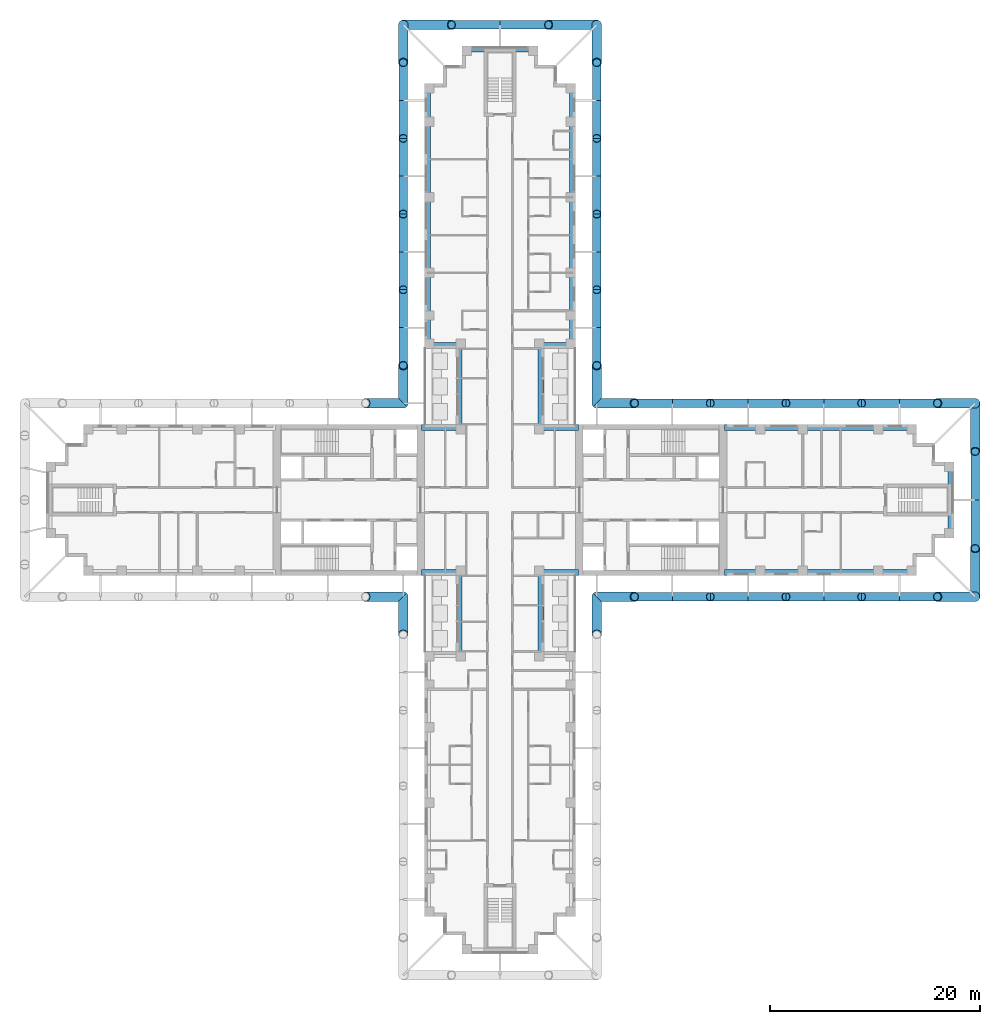
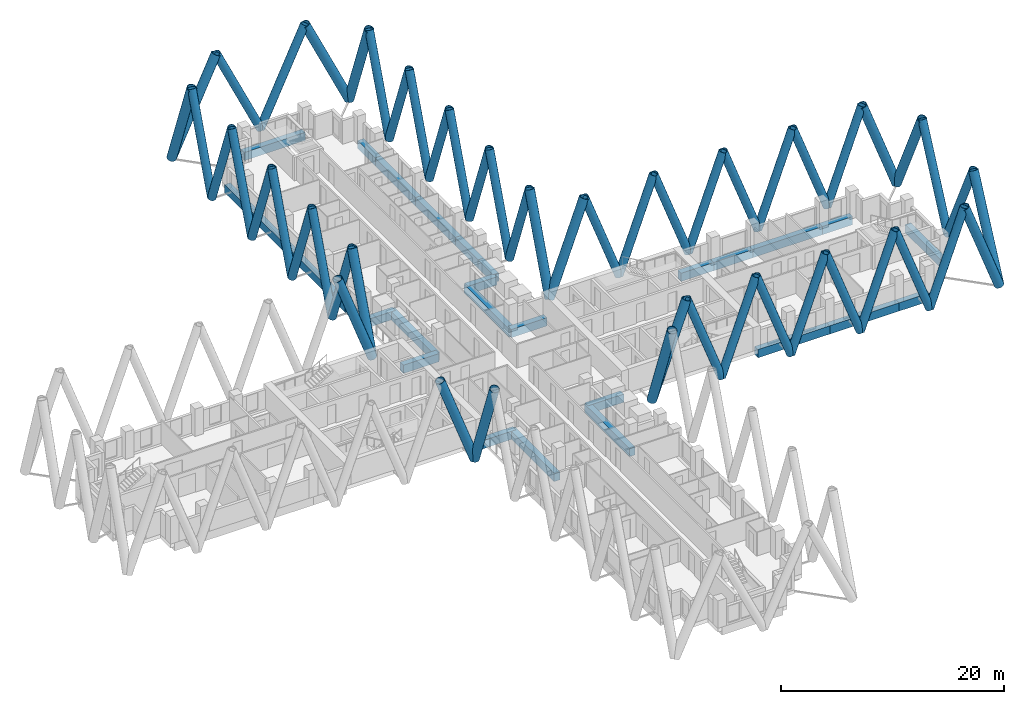
# One storey, part 2 of 17: 52 members, 30 beams.
"""IFC4 building model written with IfcOpenShell, lengths in metres."""

from ifc_helpers import new_model, si_unit, direction, frame, origin, origin_2d, place, context, subcontext, project, spatial, rectangle, hollow_circle, extrude, material, material_profile, profile_set, type_object, element, save


model = new_model("IFC4")

# Units and contexts
model_context = context("Model", 3, precision=1e-05, world=origin(), true_north=direction((0.0, 1.0)))
body_context = subcontext(model_context, "Body", "Model", "MODEL_VIEW")
ifc_project = project(units=[si_unit("LENGTHUNIT", "METRE"), si_unit("AREAUNIT", "SQUARE_METRE"), si_unit("VOLUMEUNIT", "CUBIC_METRE"), si_unit("PLANEANGLEUNIT", "RADIAN"), si_unit("MASSUNIT", "GRAM", prefix="KILO")], contexts=[model_context])

# Site, building, storey
site_placement = place(None, origin())
site = spatial("IfcSite", under=ifc_project, at=site_placement, CompositionType="ELEMENT")
building_placement = place(site_placement, origin())
building = spatial("IfcBuilding", under=site, at=building_placement, Name="Fustian Cross Tower", CompositionType="ELEMENT")
storey_placement = place(building_placement, frame((0.0, 0.0, 56.699951171875)))
storey = spatial("IfcBuildingStorey", under=building, at=storey_placement, Name="L17", CompositionType="ELEMENT", Elevation=56.699951171875)

# Members
ifc_material_1 = material(Name="Steel S355", Category="steel")
ifc_material_profile_1 = material_profile(ifc_material_1, hollow_circle(Radius=0.406494140625, WallThickness=0.0400390625, at=origin_2d()), Name="CHS 813x40")
ifc_profile_set_1 = profile_set([ifc_material_profile_1], Name="Steel S355")
member_type_1 = type_object("IfcMemberType", Name="DIAGRID DIAGONAL CHS 813x40", PredefinedType="BRACE", material=ifc_profile_set_1)
member_1_placement = place(storey_placement, frame((16.39990234375, -9.199951171875, 0.0), z_axis=(-0.344803586443, 0.0, 0.938674856793), x_axis=(0.0, -1.0, 0.0)))
element("IfcMember", 1, at=member_1_placement, inside=storey, type_object=member_type_1, Name="Diagrid diagonal E-S 02", PredefinedType="BRACE", context=body_context, shape_type="SweptSolid", body=[
    extrude(hollow_circle(Radius=0.406494140625, WallThickness=0.0400390625, at=origin_2d()), origin(), (0.0, 0.0, 1.0), 10.440185546875),
])
for number, where, z_axis, x_axis, name in (
    (2, (16.39990234375, -9.199951171875, 0.0), (0.34482419047, 0.0, 0.938667288056), (0.0, 1.0, 0.0), "Diagrid diagonal E-S 03"),
    (3, (23.60009765625, -9.199951171875, 0.0), (-0.34482419047, 0.0, 0.938667288056), (0.0, -1.0, 0.0), "Diagrid diagonal E-S 04"),
):
    element("IfcMember", number, at=place(storey_placement, frame(where, z_axis=z_axis, x_axis=x_axis)), inside=storey, type_object=member_type_1, Name=name, PredefinedType="BRACE", context=body_context, shape_type="SweptSolid", body=[
        extrude(hollow_circle(Radius=0.406494140625, WallThickness=0.0400390625, at=origin_2d()), origin(), (0.0, 0.0, 1.0), 10.4404296875),
    ])
member_2_placement = place(storey_placement, frame((23.60009765625, -9.199951171875, 0.0), z_axis=(0.344803586443, 0.0, 0.938674856793), x_axis=(0.0, 1.0, 0.0)))
element("IfcMember", 4, at=member_2_placement, inside=storey, type_object=member_type_1, Name="Diagrid diagonal E-S 05", PredefinedType="BRACE", context=body_context, shape_type="SweptSolid", body=[
    extrude(hollow_circle(Radius=0.406494140625, WallThickness=0.0400390625, at=origin_2d()), origin(), (0.0, 0.0, 1.0), 10.440185546875),
])
member_3_placement = place(storey_placement, frame((30.800048828125, -9.199951171875, 0.0), z_axis=(-0.34482419047, 0.0, 0.938667288056), x_axis=(0.0, -1.0, 0.0)))
element("IfcMember", 5, at=member_3_placement, inside=storey, type_object=member_type_1, Name="Diagrid diagonal E-S 06", PredefinedType="BRACE", context=body_context, shape_type="SweptSolid", body=[
    extrude(hollow_circle(Radius=0.406494140625, WallThickness=0.0400390625, at=origin_2d()), origin(), (0.0, 0.0, 1.0), 10.4404296875),
])
member_4_placement = place(storey_placement, frame((30.800048828125, -9.199951171875, 0.0), z_axis=(0.344803586443, 0.0, 0.938674856793), x_axis=(0.0, 1.0, 0.0)))
element("IfcMember", 6, at=member_4_placement, inside=storey, type_object=member_type_1, Name="Diagrid diagonal E-S 07", PredefinedType="BRACE", context=body_context, shape_type="SweptSolid", body=[
    extrude(hollow_circle(Radius=0.406494140625, WallThickness=0.0400390625, at=origin_2d()), origin(), (0.0, 0.0, 1.0), 10.440185546875),
])
for number, where, z_axis, x_axis, name in (
    (7, (38.0, -9.199951171875, 0.0), (-0.34482419047, 0.0, 0.938667288056), (0.0, -1.0, 0.0), "Diagrid diagonal E-S 08"),
    (8, (38.0, -9.199951171875, 0.0), (0.34482419047, 0.0, 0.938667288056), (0.0, 1.0, 0.0), "Diagrid diagonal E-S 09"),
):
    element("IfcMember", number, at=place(storey_placement, frame(where, z_axis=z_axis, x_axis=x_axis)), inside=storey, type_object=member_type_1, Name=name, PredefinedType="BRACE", context=body_context, shape_type="SweptSolid", body=[
        extrude(hollow_circle(Radius=0.406494140625, WallThickness=0.0400390625, at=origin_2d()), origin(), (0.0, 0.0, 1.0), 10.4404296875),
    ])
for number, where, z_axis, x_axis, name in (
    (9, (45.199951171875, 0.0, 0.0), (0.0, -0.424912794088, 0.90523428869), (1.0, 0.0, 0.0), "Diagrid diagonal E-end 02"),
    (10, (45.199951171875, 0.0, 0.0), (0.0, 0.424912794088, 0.90523428869), (-1.0, 0.0, 0.0), "Diagrid diagonal E-end 03"),
):
    element("IfcMember", number, at=place(storey_placement, frame(where, z_axis=z_axis, x_axis=x_axis)), inside=storey, type_object=member_type_1, Name=name, PredefinedType="BRACE", context=body_context, shape_type="SweptSolid", body=[
        extrude(hollow_circle(Radius=0.406494140625, WallThickness=0.0400390625, at=origin_2d()), origin(), (0.0, 0.0, 1.0), 10.825927734375),
    ])
for number, where, z_axis, x_axis, name in (
    (11, (38.0, 9.199951171875, 0.0), (0.34482419047, 0.0, 0.938667288056), (0.0, 1.0, 0.0), "Diagrid diagonal E-N 02"),
    (12, (38.0, 9.199951171875, 0.0), (-0.34482419047, 0.0, 0.938667288056), (0.0, -1.0, 0.0), "Diagrid diagonal E-N 03"),
):
    element("IfcMember", number, at=place(storey_placement, frame(where, z_axis=z_axis, x_axis=x_axis)), inside=storey, type_object=member_type_1, Name=name, PredefinedType="BRACE", context=body_context, shape_type="SweptSolid", body=[
        extrude(hollow_circle(Radius=0.406494140625, WallThickness=0.0400390625, at=origin_2d()), origin(), (0.0, 0.0, 1.0), 10.4404296875),
    ])
member_5_placement = place(storey_placement, frame((30.800048828125, 9.199951171875, 0.0), z_axis=(0.344803586443, 0.0, 0.938674856793), x_axis=(0.0, 1.0, 0.0)))
element("IfcMember", 13, at=member_5_placement, inside=storey, type_object=member_type_1, Name="Diagrid diagonal E-N 04", PredefinedType="BRACE", context=body_context, shape_type="SweptSolid", body=[
    extrude(hollow_circle(Radius=0.406494140625, WallThickness=0.0400390625, at=origin_2d()), origin(), (0.0, 0.0, 1.0), 10.440185546875),
])
member_6_placement = place(storey_placement, frame((30.800048828125, 9.199951171875, 0.0), z_axis=(-0.34482419047, 0.0, 0.938667288056), x_axis=(0.0, -1.0, 0.0)))
element("IfcMember", 14, at=member_6_placement, inside=storey, type_object=member_type_1, Name="Diagrid diagonal E-N 05", PredefinedType="BRACE", context=body_context, shape_type="SweptSolid", body=[
    extrude(hollow_circle(Radius=0.406494140625, WallThickness=0.0400390625, at=origin_2d()), origin(), (0.0, 0.0, 1.0), 10.4404296875),
])
member_7_placement = place(storey_placement, frame((23.60009765625, 9.199951171875, 0.0), z_axis=(0.344803586443, 0.0, 0.938674856793), x_axis=(0.0, 1.0, 0.0)))
element("IfcMember", 15, at=member_7_placement, inside=storey, type_object=member_type_1, Name="Diagrid diagonal E-N 06", PredefinedType="BRACE", context=body_context, shape_type="SweptSolid", body=[
    extrude(hollow_circle(Radius=0.406494140625, WallThickness=0.0400390625, at=origin_2d()), origin(), (0.0, 0.0, 1.0), 10.440185546875),
])
for number, where, z_axis, x_axis, name in (
    (16, (23.60009765625, 9.199951171875, 0.0), (-0.34482419047, 0.0, 0.938667288056), (0.0, -1.0, 0.0), "Diagrid diagonal E-N 07"),
    (17, (16.39990234375, 9.199951171875, 0.0), (0.34482419047, 0.0, 0.938667288056), (0.0, 1.0, 0.0), "Diagrid diagonal E-N 08"),
):
    element("IfcMember", number, at=place(storey_placement, frame(where, z_axis=z_axis, x_axis=x_axis)), inside=storey, type_object=member_type_1, Name=name, PredefinedType="BRACE", context=body_context, shape_type="SweptSolid", body=[
        extrude(hollow_circle(Radius=0.406494140625, WallThickness=0.0400390625, at=origin_2d()), origin(), (0.0, 0.0, 1.0), 10.4404296875),
    ])
for number, where, z_axis, x_axis, name in (
    (18, (16.39990234375, 9.199951171875, 0.0), (-0.344803586443, 0.0, 0.938674856793), (0.0, -1.0, 0.0), "Diagrid diagonal E-N 09"),
    (19, (9.199951171875, 16.39990234375, 0.0), (0.0, -0.344803586443, 0.938674856793), (1.0, 0.0, 0.0), "Diagrid diagonal N-E 02"),
):
    element("IfcMember", number, at=place(storey_placement, frame(where, z_axis=z_axis, x_axis=x_axis)), inside=storey, type_object=member_type_1, Name=name, PredefinedType="BRACE", context=body_context, shape_type="SweptSolid", body=[
        extrude(hollow_circle(Radius=0.406494140625, WallThickness=0.0400390625, at=origin_2d()), origin(), (0.0, 0.0, 1.0), 10.440185546875),
    ])
for number, where, z_axis, x_axis, name in (
    (20, (9.199951171875, 16.39990234375, 0.0), (0.0, 0.34482419047, 0.938667288056), (-1.0, 0.0, 0.0), "Diagrid diagonal N-E 03"),
    (21, (9.199951171875, 23.60009765625, 0.0), (0.0, -0.34482419047, 0.938667288056), (1.0, 0.0, 0.0), "Diagrid diagonal N-E 04"),
):
    element("IfcMember", number, at=place(storey_placement, frame(where, z_axis=z_axis, x_axis=x_axis)), inside=storey, type_object=member_type_1, Name=name, PredefinedType="BRACE", context=body_context, shape_type="SweptSolid", body=[
        extrude(hollow_circle(Radius=0.406494140625, WallThickness=0.0400390625, at=origin_2d()), origin(), (0.0, 0.0, 1.0), 10.4404296875),
    ])
member_8_placement = place(storey_placement, frame((9.199951171875, 23.60009765625, 0.0), z_axis=(0.0, 0.344803586443, 0.938674856793), x_axis=(-1.0, 0.0, 0.0)))
element("IfcMember", 22, at=member_8_placement, inside=storey, type_object=member_type_1, Name="Diagrid diagonal N-E 05", PredefinedType="BRACE", context=body_context, shape_type="SweptSolid", body=[
    extrude(hollow_circle(Radius=0.406494140625, WallThickness=0.0400390625, at=origin_2d()), origin(), (0.0, 0.0, 1.0), 10.440185546875),
])
member_9_placement = place(storey_placement, frame((9.199951171875, 30.800048828125, 0.0), z_axis=(0.0, -0.34482419047, 0.938667288056), x_axis=(1.0, 0.0, 0.0)))
element("IfcMember", 23, at=member_9_placement, inside=storey, type_object=member_type_1, Name="Diagrid diagonal N-E 06", PredefinedType="BRACE", context=body_context, shape_type="SweptSolid", body=[
    extrude(hollow_circle(Radius=0.406494140625, WallThickness=0.0400390625, at=origin_2d()), origin(), (0.0, 0.0, 1.0), 10.4404296875),
])
member_10_placement = place(storey_placement, frame((9.199951171875, 30.800048828125, 0.0), z_axis=(0.0, 0.344803586443, 0.938674856793), x_axis=(-1.0, 0.0, 0.0)))
element("IfcMember", 24, at=member_10_placement, inside=storey, type_object=member_type_1, Name="Diagrid diagonal N-E 07", PredefinedType="BRACE", context=body_context, shape_type="SweptSolid", body=[
    extrude(hollow_circle(Radius=0.406494140625, WallThickness=0.0400390625, at=origin_2d()), origin(), (0.0, 0.0, 1.0), 10.440185546875),
])
for number, where, z_axis, x_axis, name in (
    (25, (9.199951171875, 38.0, 0.0), (0.0, -0.34482419047, 0.938667288056), (1.0, 0.0, 0.0), "Diagrid diagonal N-E 08"),
    (26, (9.199951171875, 38.0, 0.0), (0.0, 0.34482419047, 0.938667288056), (-1.0, 0.0, 0.0), "Diagrid diagonal N-E 09"),
):
    element("IfcMember", number, at=place(storey_placement, frame(where, z_axis=z_axis, x_axis=x_axis)), inside=storey, type_object=member_type_1, Name=name, PredefinedType="BRACE", context=body_context, shape_type="SweptSolid", body=[
        extrude(hollow_circle(Radius=0.406494140625, WallThickness=0.0400390625, at=origin_2d()), origin(), (0.0, 0.0, 1.0), 10.4404296875),
    ])
for number, where, z_axis, x_axis, name in (
    (27, (0.0, 45.199951171875, 0.0), (0.424912794088, 0.0, 0.90523428869), (0.0, 1.0, 0.0), "Diagrid diagonal N-end 02"),
    (28, (0.0, 45.199951171875, 0.0), (-0.424912794088, 0.0, 0.90523428869), (0.0, -1.0, 0.0), "Diagrid diagonal N-end 03"),
):
    element("IfcMember", number, at=place(storey_placement, frame(where, z_axis=z_axis, x_axis=x_axis)), inside=storey, type_object=member_type_1, Name=name, PredefinedType="BRACE", context=body_context, shape_type="SweptSolid", body=[
        extrude(hollow_circle(Radius=0.406494140625, WallThickness=0.0400390625, at=origin_2d()), origin(), (0.0, 0.0, 1.0), 10.825927734375),
    ])
for number, where, z_axis, x_axis, name in (
    (29, (-9.199951171875, 38.0, 0.0), (0.0, 0.34482419047, 0.938667288056), (-1.0, 0.0, 0.0), "Diagrid diagonal N-W 02"),
    (30, (-9.199951171875, 38.0, 0.0), (0.0, -0.34482419047, 0.938667288056), (1.0, 0.0, 0.0), "Diagrid diagonal N-W 03"),
):
    element("IfcMember", number, at=place(storey_placement, frame(where, z_axis=z_axis, x_axis=x_axis)), inside=storey, type_object=member_type_1, Name=name, PredefinedType="BRACE", context=body_context, shape_type="SweptSolid", body=[
        extrude(hollow_circle(Radius=0.406494140625, WallThickness=0.0400390625, at=origin_2d()), origin(), (0.0, 0.0, 1.0), 10.4404296875),
    ])
member_11_placement = place(storey_placement, frame((-9.199951171875, 30.800048828125, 0.0), z_axis=(0.0, 0.344803586443, 0.938674856793), x_axis=(-1.0, 0.0, 0.0)))
element("IfcMember", 31, at=member_11_placement, inside=storey, type_object=member_type_1, Name="Diagrid diagonal N-W 04", PredefinedType="BRACE", context=body_context, shape_type="SweptSolid", body=[
    extrude(hollow_circle(Radius=0.406494140625, WallThickness=0.0400390625, at=origin_2d()), origin(), (0.0, 0.0, 1.0), 10.440185546875),
])
member_12_placement = place(storey_placement, frame((-9.199951171875, 30.800048828125, 0.0), z_axis=(0.0, -0.34482419047, 0.938667288056), x_axis=(1.0, 0.0, 0.0)))
element("IfcMember", 32, at=member_12_placement, inside=storey, type_object=member_type_1, Name="Diagrid diagonal N-W 05", PredefinedType="BRACE", context=body_context, shape_type="SweptSolid", body=[
    extrude(hollow_circle(Radius=0.406494140625, WallThickness=0.0400390625, at=origin_2d()), origin(), (0.0, 0.0, 1.0), 10.4404296875),
])
member_13_placement = place(storey_placement, frame((-9.199951171875, 23.60009765625, 0.0), z_axis=(0.0, 0.344803586443, 0.938674856793), x_axis=(-1.0, 0.0, 0.0)))
element("IfcMember", 33, at=member_13_placement, inside=storey, type_object=member_type_1, Name="Diagrid diagonal N-W 06", PredefinedType="BRACE", context=body_context, shape_type="SweptSolid", body=[
    extrude(hollow_circle(Radius=0.406494140625, WallThickness=0.0400390625, at=origin_2d()), origin(), (0.0, 0.0, 1.0), 10.440185546875),
])
for number, where, z_axis, x_axis, name in (
    (34, (-9.199951171875, 23.60009765625, 0.0), (0.0, -0.34482419047, 0.938667288056), (1.0, 0.0, 0.0), "Diagrid diagonal N-W 07"),
    (35, (-9.199951171875, 16.39990234375, 0.0), (0.0, 0.34482419047, 0.938667288056), (-1.0, 0.0, 0.0), "Diagrid diagonal N-W 08"),
):
    element("IfcMember", number, at=place(storey_placement, frame(where, z_axis=z_axis, x_axis=x_axis)), inside=storey, type_object=member_type_1, Name=name, PredefinedType="BRACE", context=body_context, shape_type="SweptSolid", body=[
        extrude(hollow_circle(Radius=0.406494140625, WallThickness=0.0400390625, at=origin_2d()), origin(), (0.0, 0.0, 1.0), 10.4404296875),
    ])
member_14_placement = place(storey_placement, frame((-9.199951171875, 16.39990234375, 0.0), z_axis=(0.0, -0.344803586443, 0.938674856793), x_axis=(1.0, 0.0, 0.0)))
element("IfcMember", 36, at=member_14_placement, inside=storey, type_object=member_type_1, Name="Diagrid diagonal N-W 09", PredefinedType="BRACE", context=body_context, shape_type="SweptSolid", body=[
    extrude(hollow_circle(Radius=0.406494140625, WallThickness=0.0400390625, at=origin_2d()), origin(), (0.0, 0.0, 1.0), 10.440185546875),
])
ifc_material_2 = material(Name="Steel S355", Category="steel")
ifc_material_profile_2 = material_profile(ifc_material_2, hollow_circle(Radius=0.457275390625, WallThickness=0.050048828125, at=origin_2d()), Name="CHS 914x50")
ifc_profile_set_2 = profile_set([ifc_material_profile_2], Name="Steel S355")
member_type_2 = type_object("IfcMemberType", Name="DIAGRID DIAGONAL CHS 914x50", PredefinedType="BRACE", material=ifc_profile_set_2)
member_15_placement = place(storey_placement, frame((9.199951171875, -9.199951171875, 0.0), z_axis=(0.34482419047, 0.0, 0.938667288056), x_axis=(0.0, 1.0, 0.0)))
element("IfcMember", 37, at=member_15_placement, inside=storey, type_object=member_type_2, Name="Diagrid diagonal E-S 01", PredefinedType="BRACE", context=body_context, shape_type="SweptSolid", body=[
    extrude(hollow_circle(Radius=0.457275390625, WallThickness=0.050048828125, at=origin_2d()), origin(), (0.0, 0.0, 1.0), 10.4404296875),
])
member_16_placement = place(storey_placement, frame((45.199951171875, -9.199951171875, 0.0), z_axis=(-0.344803586443, 0.0, 0.938674856793), x_axis=(0.0, -1.0, 0.0)))
element("IfcMember", 38, at=member_16_placement, inside=storey, type_object=member_type_2, Name="Diagrid diagonal E-S 10", PredefinedType="BRACE", context=body_context, shape_type="SweptSolid", body=[
    extrude(hollow_circle(Radius=0.457275390625, WallThickness=0.050048828125, at=origin_2d()), origin(), (0.0, 0.0, 1.0), 10.440185546875),
])
for number, where, z_axis, x_axis, name in (
    (39, (45.199951171875, -9.199951171875, 0.0), (0.0, 0.424894314128, 0.905242962868), (-1.0, 0.0, 0.0), "Diagrid diagonal E-end 01"),
    (40, (45.199951171875, 9.199951171875, 0.0), (0.0, -0.424894314128, 0.905242962868), (1.0, 0.0, 0.0), "Diagrid diagonal E-end 04"),
):
    element("IfcMember", number, at=place(storey_placement, frame(where, z_axis=z_axis, x_axis=x_axis)), inside=storey, type_object=member_type_2, Name=name, PredefinedType="BRACE", context=body_context, shape_type="SweptSolid", body=[
        extrude(hollow_circle(Radius=0.457275390625, WallThickness=0.050048828125, at=origin_2d()), origin(), (0.0, 0.0, 1.0), 10.825927734375),
    ])
member_17_placement = place(storey_placement, frame((45.199951171875, 9.199951171875, 0.0), z_axis=(-0.344803586443, 0.0, 0.938674856793), x_axis=(0.0, -1.0, 0.0)))
element("IfcMember", 41, at=member_17_placement, inside=storey, type_object=member_type_2, Name="Diagrid diagonal E-N 01", PredefinedType="BRACE", context=body_context, shape_type="SweptSolid", body=[
    extrude(hollow_circle(Radius=0.457275390625, WallThickness=0.050048828125, at=origin_2d()), origin(), (0.0, 0.0, 1.0), 10.440185546875),
])
for number, where, z_axis, x_axis, name in (
    (42, (9.199951171875, 9.199951171875, 0.0), (0.34482419047, 0.0, 0.938667288056), (0.0, 1.0, 0.0), "Diagrid diagonal E-N 10"),
    (43, (9.199951171875, 9.199951171875, 0.0), (0.0, 0.34482419047, 0.938667288056), (-1.0, 0.0, 0.0), "Diagrid diagonal N-E 01"),
):
    element("IfcMember", number, at=place(storey_placement, frame(where, z_axis=z_axis, x_axis=x_axis)), inside=storey, type_object=member_type_2, Name=name, PredefinedType="BRACE", context=body_context, shape_type="SweptSolid", body=[
        extrude(hollow_circle(Radius=0.457275390625, WallThickness=0.050048828125, at=origin_2d()), origin(), (0.0, 0.0, 1.0), 10.4404296875),
    ])
member_18_placement = place(storey_placement, frame((9.199951171875, 45.199951171875, 0.0), z_axis=(0.0, -0.344803586443, 0.938674856793), x_axis=(1.0, 0.0, 0.0)))
element("IfcMember", 44, at=member_18_placement, inside=storey, type_object=member_type_2, Name="Diagrid diagonal N-E 10", PredefinedType="BRACE", context=body_context, shape_type="SweptSolid", body=[
    extrude(hollow_circle(Radius=0.457275390625, WallThickness=0.050048828125, at=origin_2d()), origin(), (0.0, 0.0, 1.0), 10.440185546875),
])
for number, where, z_axis, x_axis, name in (
    (45, (9.199951171875, 45.199951171875, 0.0), (-0.424894314128, 0.0, 0.905242962868), (0.0, -1.0, 0.0), "Diagrid diagonal N-end 01"),
    (46, (-9.199951171875, 45.199951171875, 0.0), (0.424894314128, 0.0, 0.905242962868), (0.0, 1.0, 0.0), "Diagrid diagonal N-end 04"),
):
    element("IfcMember", number, at=place(storey_placement, frame(where, z_axis=z_axis, x_axis=x_axis)), inside=storey, type_object=member_type_2, Name=name, PredefinedType="BRACE", context=body_context, shape_type="SweptSolid", body=[
        extrude(hollow_circle(Radius=0.457275390625, WallThickness=0.050048828125, at=origin_2d()), origin(), (0.0, 0.0, 1.0), 10.825927734375),
    ])
member_19_placement = place(storey_placement, frame((-9.199951171875, 45.199951171875, 0.0), z_axis=(0.0, -0.344803586443, 0.938674856793), x_axis=(1.0, 0.0, 0.0)))
element("IfcMember", 47, at=member_19_placement, inside=storey, type_object=member_type_2, Name="Diagrid diagonal N-W 01", PredefinedType="BRACE", context=body_context, shape_type="SweptSolid", body=[
    extrude(hollow_circle(Radius=0.457275390625, WallThickness=0.050048828125, at=origin_2d()), origin(), (0.0, 0.0, 1.0), 10.440185546875),
])
for number, where, z_axis, x_axis, name in (
    (48, (-9.199951171875, 9.199951171875, 0.0), (0.0, 0.34482419047, 0.938667288056), (-1.0, 0.0, 0.0), "Diagrid diagonal N-W 10"),
    (49, (-9.199951171875, 9.199951171875, 0.0), (-0.34482419047, 0.0, 0.938667288056), (0.0, -1.0, 0.0), "Diagrid diagonal W-N 01"),
    (50, (-9.199951171875, -9.199951171875, 0.0), (-0.34482419047, 0.0, 0.938667288056), (0.0, -1.0, 0.0), "Diagrid diagonal W-S 10"),
    (51, (-9.199951171875, -9.199951171875, 0.0), (0.0, -0.34482419047, 0.938667288056), (1.0, 0.0, 0.0), "Diagrid diagonal S-W 01"),
    (52, (9.199951171875, -9.199951171875, 0.0), (0.0, -0.34482419047, 0.938667288056), (1.0, 0.0, 0.0), "Diagrid diagonal S-E 10"),
):
    element("IfcMember", number, at=place(storey_placement, frame(where, z_axis=z_axis, x_axis=x_axis)), inside=storey, type_object=member_type_2, Name=name, PredefinedType="BRACE", context=body_context, shape_type="SweptSolid", body=[
        extrude(hollow_circle(Radius=0.457275390625, WallThickness=0.050048828125, at=origin_2d()), origin(), (0.0, 0.0, 1.0), 10.4404296875),
    ])

# Beams
ifc_material_3 = material(Name="Concrete C50/60", Category="concrete")
ifc_material_profile_3 = material_profile(ifc_material_3, rectangle(XDim=0.60009765625, YDim=0.89990234375, at=origin_2d()), Name="RC 600x900")
ifc_profile_set_3 = profile_set([ifc_material_profile_3], Name="Concrete C50/60")
beam_type = type_object("IfcBeamType", Name="EDGE BEAM RC 600x900 C50/60", PredefinedType="SPANDREL", material=ifc_profile_set_3)
beam_1_placement = place(storey_placement, frame((21.35009765625, -6.89990234375, -0.449951171875), z_axis=(1.0, 0.0, 0.0), x_axis=(0.0, 1.0, 0.0)))
element("IfcBeam", 53, at=beam_1_placement, inside=storey, type_object=beam_type, Name="EDGE BEAM L17-01", PredefinedType="SPANDREL", context=body_context, shape_type="SweptSolid", body=[
    extrude(rectangle(XDim=0.60009765625, YDim=0.89990234375, at=origin_2d()), origin(), (0.0, 0.0, 1.0), 3.39990234375),
])
beam_2_placement = place(storey_placement, frame((24.75, -6.89990234375, -0.449951171875), z_axis=(1.0, 0.0, 0.0), x_axis=(0.0, 1.0, 0.0)))
element("IfcBeam", 54, at=beam_2_placement, inside=storey, type_object=beam_type, Name="EDGE BEAM L17-02", PredefinedType="SPANDREL", context=body_context, shape_type="SweptSolid", body=[
    extrude(rectangle(XDim=0.60009765625, YDim=0.89990234375, at=origin_2d()), origin(), (0.0, 0.0, 1.0), 4.050048828125),
])
beam_3_placement = place(storey_placement, frame((28.800048828125, -6.89990234375, -0.449951171875), z_axis=(1.0, 0.0, 0.0), x_axis=(0.0, 1.0, 0.0)))
element("IfcBeam", 55, at=beam_3_placement, inside=storey, type_object=beam_type, Name="EDGE BEAM L17-03", PredefinedType="SPANDREL", context=body_context, shape_type="SweptSolid", body=[
    extrude(rectangle(XDim=0.60009765625, YDim=0.89990234375, at=origin_2d()), origin(), (0.0, 0.0, 1.0), 7.199951171875),
])
beam_4_placement = place(storey_placement, frame((36.0, -6.89990234375, -0.449951171875), z_axis=(1.0, 0.0, 0.0), x_axis=(0.0, 1.0, 0.0)))
element("IfcBeam", 56, at=beam_4_placement, inside=storey, type_object=beam_type, Name="EDGE BEAM L17-04", PredefinedType="SPANDREL", context=body_context, shape_type="SweptSolid", body=[
    extrude(rectangle(XDim=0.60009765625, YDim=0.89990234375, at=origin_2d()), origin(), (0.0, 0.0, 1.0), 3.14990234375),
])
beam_5_placement = place(storey_placement, frame((42.89990234375, -3.14990234375, -0.449951171875), z_axis=(0.0, 1.0, 0.0), x_axis=(-1.0, 0.0, 0.0)))
element("IfcBeam", 57, at=beam_5_placement, inside=storey, type_object=beam_type, Name="EDGE BEAM L17-05", PredefinedType="SPANDREL", context=body_context, shape_type="SweptSolid", body=[
    extrude(rectangle(XDim=0.60009765625, YDim=0.89990234375, at=origin_2d()), origin(), (0.0, 0.0, 1.0), 6.2998046875),
])
beam_6_placement = place(storey_placement, frame((39.14990234375, 6.89990234375, -0.449951171875), z_axis=(-1.0, 0.0, 0.0), x_axis=(0.0, -1.0, 0.0)))
element("IfcBeam", 58, at=beam_6_placement, inside=storey, type_object=beam_type, Name="EDGE BEAM L17-06", PredefinedType="SPANDREL", context=body_context, shape_type="SweptSolid", body=[
    extrude(rectangle(XDim=0.60009765625, YDim=0.89990234375, at=origin_2d()), origin(), (0.0, 0.0, 1.0), 3.14990234375),
])
beam_7_placement = place(storey_placement, frame((36.0, 6.89990234375, -0.449951171875), z_axis=(-1.0, 0.0, 0.0), x_axis=(0.0, -1.0, 0.0)))
element("IfcBeam", 59, at=beam_7_placement, inside=storey, type_object=beam_type, Name="EDGE BEAM L17-07", PredefinedType="SPANDREL", context=body_context, shape_type="SweptSolid", body=[
    extrude(rectangle(XDim=0.60009765625, YDim=0.89990234375, at=origin_2d()), origin(), (0.0, 0.0, 1.0), 7.199951171875),
])
beam_8_placement = place(storey_placement, frame((28.800048828125, 6.89990234375, -0.449951171875), z_axis=(-1.0, 0.0, 0.0), x_axis=(0.0, -1.0, 0.0)))
element("IfcBeam", 60, at=beam_8_placement, inside=storey, type_object=beam_type, Name="EDGE BEAM L17-08", PredefinedType="SPANDREL", context=body_context, shape_type="SweptSolid", body=[
    extrude(rectangle(XDim=0.60009765625, YDim=0.89990234375, at=origin_2d()), origin(), (0.0, 0.0, 1.0), 4.050048828125),
])
beam_9_placement = place(storey_placement, frame((24.75, 6.89990234375, -0.449951171875), z_axis=(-1.0, 0.0, 0.0), x_axis=(0.0, -1.0, 0.0)))
element("IfcBeam", 61, at=beam_9_placement, inside=storey, type_object=beam_type, Name="EDGE BEAM L17-09", PredefinedType="SPANDREL", context=body_context, shape_type="SweptSolid", body=[
    extrude(rectangle(XDim=0.60009765625, YDim=0.89990234375, at=origin_2d()), origin(), (0.0, 0.0, 1.0), 3.39990234375),
])
beam_10_placement = place(storey_placement, frame((7.449951171875, 6.89990234375, -0.449951171875), z_axis=(-1.0, 0.0, 0.0), x_axis=(0.0, -1.0, 0.0)))
element("IfcBeam", 62, at=beam_10_placement, inside=storey, type_object=beam_type, Name="EDGE BEAM L17-10", PredefinedType="SPANDREL", context=body_context, shape_type="SweptSolid", body=[
    extrude(rectangle(XDim=0.60009765625, YDim=0.89990234375, at=origin_2d()), origin(), (0.0, 0.0, 1.0), 3.699951171875),
])
beam_11_placement = place(storey_placement, frame((3.89990234375, 6.75, -0.449951171875), z_axis=(0.0, 1.0, 0.0), x_axis=(-1.0, 0.0, 0.0)))
element("IfcBeam", 63, at=beam_11_placement, inside=storey, type_object=beam_type, Name="EDGE BEAM L17-11", PredefinedType="SPANDREL", context=body_context, shape_type="SweptSolid", body=[
    extrude(rectangle(XDim=0.60009765625, YDim=0.89990234375, at=origin_2d()), origin(), (0.0, 0.0, 1.0), 8.10009765625),
])
beam_12_placement = place(storey_placement, frame((3.75, 14.699951171875, -0.449951171875), z_axis=(1.0, 0.0, 0.0), x_axis=(0.0, 1.0, 0.0)))
element("IfcBeam", 64, at=beam_12_placement, inside=storey, type_object=beam_type, Name="EDGE BEAM L17-12", PredefinedType="SPANDREL", context=body_context, shape_type="SweptSolid", body=[
    extrude(rectangle(XDim=0.60009765625, YDim=0.89990234375, at=origin_2d()), origin(), (0.0, 0.0, 1.0), 3.0),
])
beam_13_placement = place(storey_placement, frame((6.89990234375, 14.85009765625, -0.449951171875), z_axis=(0.0, 1.0, 0.0), x_axis=(-1.0, 0.0, 0.0)))
element("IfcBeam", 65, at=beam_13_placement, inside=storey, type_object=beam_type, Name="EDGE BEAM L17-13", PredefinedType="SPANDREL", context=body_context, shape_type="SweptSolid", body=[
    extrude(rectangle(XDim=0.60009765625, YDim=0.89990234375, at=origin_2d()), origin(), (0.0, 0.0, 1.0), 2.699951171875),
])
beam_14_placement = place(storey_placement, frame((6.89990234375, 17.550048828125, -0.449951171875), z_axis=(0.0, 1.0, 0.0), x_axis=(-1.0, 0.0, 0.0)))
element("IfcBeam", 66, at=beam_14_placement, inside=storey, type_object=beam_type, Name="EDGE BEAM L17-14", PredefinedType="SPANDREL", context=body_context, shape_type="SweptSolid", body=[
    extrude(rectangle(XDim=0.60009765625, YDim=0.89990234375, at=origin_2d()), origin(), (0.0, 0.0, 1.0), 4.050048828125),
])
for number, where, z_axis, x_axis, name in (
    (67, (6.89990234375, 21.60009765625, -0.449951171875), (0.0, 1.0, 0.0), (-1.0, 0.0, 0.0), "EDGE BEAM L17-15"),
    (68, (6.89990234375, 28.800048828125, -0.449951171875), (0.0, 1.0, 0.0), (-1.0, 0.0, 0.0), "EDGE BEAM L17-16"),
):
    element("IfcBeam", number, at=place(storey_placement, frame(where, z_axis=z_axis, x_axis=x_axis)), inside=storey, type_object=beam_type, Name=name, PredefinedType="SPANDREL", context=body_context, shape_type="SweptSolid", body=[
        extrude(rectangle(XDim=0.60009765625, YDim=0.89990234375, at=origin_2d()), origin(), (0.0, 0.0, 1.0), 7.199951171875),
    ])
beam_15_placement = place(storey_placement, frame((6.89990234375, 36.0, -0.449951171875), z_axis=(0.0, 1.0, 0.0), x_axis=(-1.0, 0.0, 0.0)))
element("IfcBeam", 69, at=beam_15_placement, inside=storey, type_object=beam_type, Name="EDGE BEAM L17-17", PredefinedType="SPANDREL", context=body_context, shape_type="SweptSolid", body=[
    extrude(rectangle(XDim=0.60009765625, YDim=0.89990234375, at=origin_2d()), origin(), (0.0, 0.0, 1.0), 3.14990234375),
])
beam_16_placement = place(storey_placement, frame((3.14990234375, 42.89990234375, -0.449951171875), z_axis=(-1.0, 0.0, 0.0), x_axis=(0.0, -1.0, 0.0)))
element("IfcBeam", 70, at=beam_16_placement, inside=storey, type_object=beam_type, Name="EDGE BEAM L17-18", PredefinedType="SPANDREL", context=body_context, shape_type="SweptSolid", body=[
    extrude(rectangle(XDim=0.60009765625, YDim=0.89990234375, at=origin_2d()), origin(), (0.0, 0.0, 1.0), 6.2998046875),
])
beam_17_placement = place(storey_placement, frame((-6.89990234375, 39.14990234375, -0.449951171875), z_axis=(0.0, -1.0, 0.0), x_axis=(1.0, 0.0, 0.0)))
element("IfcBeam", 71, at=beam_17_placement, inside=storey, type_object=beam_type, Name="EDGE BEAM L17-19", PredefinedType="SPANDREL", context=body_context, shape_type="SweptSolid", body=[
    extrude(rectangle(XDim=0.60009765625, YDim=0.89990234375, at=origin_2d()), origin(), (0.0, 0.0, 1.0), 3.14990234375),
])
for number, where, z_axis, x_axis, name in (
    (72, (-6.89990234375, 36.0, -0.449951171875), (0.0, -1.0, 0.0), (1.0, 0.0, 0.0), "EDGE BEAM L17-20"),
    (73, (-6.89990234375, 28.800048828125, -0.449951171875), (0.0, -1.0, 0.0), (1.0, 0.0, 0.0), "EDGE BEAM L17-21"),
):
    element("IfcBeam", number, at=place(storey_placement, frame(where, z_axis=z_axis, x_axis=x_axis)), inside=storey, type_object=beam_type, Name=name, PredefinedType="SPANDREL", context=body_context, shape_type="SweptSolid", body=[
        extrude(rectangle(XDim=0.60009765625, YDim=0.89990234375, at=origin_2d()), origin(), (0.0, 0.0, 1.0), 7.199951171875),
    ])
beam_18_placement = place(storey_placement, frame((-6.89990234375, 21.60009765625, -0.449951171875), z_axis=(0.0, -1.0, 0.0), x_axis=(1.0, 0.0, 0.0)))
element("IfcBeam", 74, at=beam_18_placement, inside=storey, type_object=beam_type, Name="EDGE BEAM L17-22", PredefinedType="SPANDREL", context=body_context, shape_type="SweptSolid", body=[
    extrude(rectangle(XDim=0.60009765625, YDim=0.89990234375, at=origin_2d()), origin(), (0.0, 0.0, 1.0), 4.050048828125),
])
beam_19_placement = place(storey_placement, frame((-6.89990234375, 17.550048828125, -0.449951171875), z_axis=(0.0, -1.0, 0.0), x_axis=(1.0, 0.0, 0.0)))
element("IfcBeam", 75, at=beam_19_placement, inside=storey, type_object=beam_type, Name="EDGE BEAM L17-23", PredefinedType="SPANDREL", context=body_context, shape_type="SweptSolid", body=[
    extrude(rectangle(XDim=0.60009765625, YDim=0.89990234375, at=origin_2d()), origin(), (0.0, 0.0, 1.0), 2.699951171875),
])
beam_20_placement = place(storey_placement, frame((-6.75, 14.699951171875, -0.449951171875), z_axis=(1.0, 0.0, 0.0), x_axis=(0.0, 1.0, 0.0)))
element("IfcBeam", 76, at=beam_20_placement, inside=storey, type_object=beam_type, Name="EDGE BEAM L17-24", PredefinedType="SPANDREL", context=body_context, shape_type="SweptSolid", body=[
    extrude(rectangle(XDim=0.60009765625, YDim=0.89990234375, at=origin_2d()), origin(), (0.0, 0.0, 1.0), 3.0),
])
beam_21_placement = place(storey_placement, frame((-3.89990234375, 14.85009765625, -0.449951171875), z_axis=(0.0, -1.0, 0.0), x_axis=(1.0, 0.0, 0.0)))
element("IfcBeam", 77, at=beam_21_placement, inside=storey, type_object=beam_type, Name="EDGE BEAM L17-25", PredefinedType="SPANDREL", context=body_context, shape_type="SweptSolid", body=[
    extrude(rectangle(XDim=0.60009765625, YDim=0.89990234375, at=origin_2d()), origin(), (0.0, 0.0, 1.0), 8.10009765625),
])
for number, where, z_axis, x_axis, name in (
    (78, (-3.75, 6.89990234375, -0.449951171875), (-1.0, 0.0, 0.0), (0.0, -1.0, 0.0), "EDGE BEAM L17-26"),
    (79, (-7.449951171875, -6.89990234375, -0.449951171875), (1.0, 0.0, 0.0), (0.0, 1.0, 0.0), "EDGE BEAM L17-36"),
):
    element("IfcBeam", number, at=place(storey_placement, frame(where, z_axis=z_axis, x_axis=x_axis)), inside=storey, type_object=beam_type, Name=name, PredefinedType="SPANDREL", context=body_context, shape_type="SweptSolid", body=[
        extrude(rectangle(XDim=0.60009765625, YDim=0.89990234375, at=origin_2d()), origin(), (0.0, 0.0, 1.0), 3.699951171875),
    ])
for number, where, z_axis, x_axis, name in (
    (80, (-3.89990234375, -6.75, -0.449951171875), (0.0, -1.0, 0.0), (1.0, 0.0, 0.0), "EDGE BEAM L17-37"),
    (81, (3.89990234375, -14.85009765625, -0.449951171875), (0.0, 1.0, 0.0), (-1.0, 0.0, 0.0), "EDGE BEAM L17-51"),
):
    element("IfcBeam", number, at=place(storey_placement, frame(where, z_axis=z_axis, x_axis=x_axis)), inside=storey, type_object=beam_type, Name=name, PredefinedType="SPANDREL", context=body_context, shape_type="SweptSolid", body=[
        extrude(rectangle(XDim=0.60009765625, YDim=0.89990234375, at=origin_2d()), origin(), (0.0, 0.0, 1.0), 8.10009765625),
    ])
beam_22_placement = place(storey_placement, frame((3.75, -6.89990234375, -0.449951171875), z_axis=(1.0, 0.0, 0.0), x_axis=(0.0, 1.0, 0.0)))
element("IfcBeam", 82, at=beam_22_placement, inside=storey, type_object=beam_type, Name="EDGE BEAM L17-52", PredefinedType="SPANDREL", context=body_context, shape_type="SweptSolid", body=[
    extrude(rectangle(XDim=0.60009765625, YDim=0.89990234375, at=origin_2d()), origin(), (0.0, 0.0, 1.0), 3.699951171875),
])

save(model, "model.ifc")
